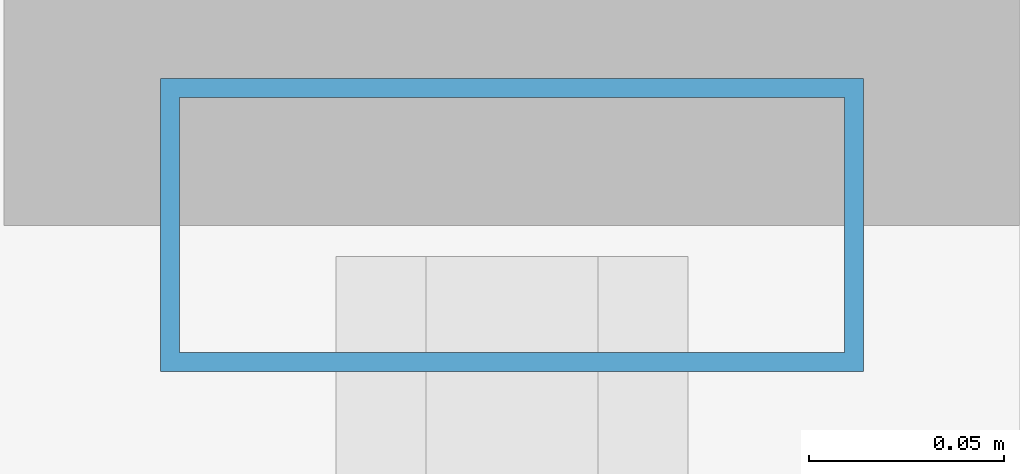
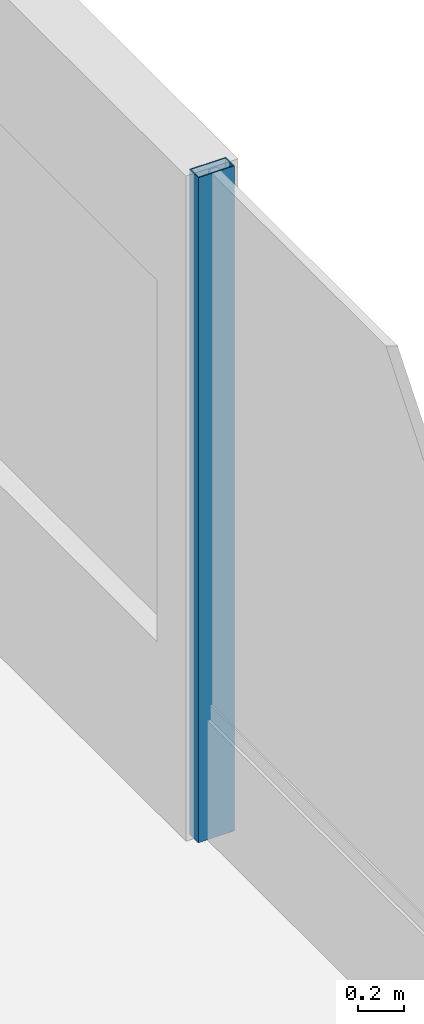
# One storey, part 15 of 23: 1 member, 1 element without a shape of its own.
"""IFC4 building model written with IfcOpenShell, lengths in metres."""

from ifc_helpers import new_model, si_unit, direction, frame, origin, origin_2d, place, context, subcontext, project, spatial, hollow_rectangle, extrude, material, layer, layer_set, material_profile, profile_set, type_object, element, aggregate, save


model = new_model("IFC4")

# Units and contexts
model_context = context("Model", 3, precision=1e-05, world=origin(), true_north=direction((0.0, 1.0)))
body_context = subcontext(model_context, "Body", "Model", "MODEL_VIEW")
ifc_project = project(units=[si_unit("LENGTHUNIT", "METRE"), si_unit("AREAUNIT", "SQUARE_METRE"), si_unit("VOLUMEUNIT", "CUBIC_METRE"), si_unit("PLANEANGLEUNIT", "RADIAN"), si_unit("MASSUNIT", "GRAM", prefix="KILO")], contexts=[model_context])

# Site, building, storey
site_placement = place(None, origin())
site = spatial("IfcSite", under=ifc_project, at=site_placement, CompositionType="ELEMENT")
building_placement = place(site_placement, origin())
building = spatial("IfcBuilding", under=site, at=building_placement, Name="Belovzor Exchange Tower", CompositionType="ELEMENT")
storey_placement = place(building_placement, frame((0.0, 0.0, 276.60009765625)))
storey = spatial("IfcBuildingStorey", under=building, at=storey_placement, Name="L69", CompositionType="ELEMENT", Elevation=276.60009765625)

# Curtain wall, member
ifc_material_1 = material(Name="Anodised Aluminium Framing", Category="aluminium")
ifc_layer = layer(ifc_material_1, 0.179931640625)
ifc_layer_set = layer_set([ifc_layer], Name="Anodised Aluminium Framing")
curtain_wall_type = type_object("IfcCurtainWallType", Name="Recessed Loggia Low-Iron Triple-Glazed Curtain Wall", PredefinedType="NOTDEFINED", material=ifc_layer_set)
curtain_wall_placement = place(storey_placement, origin())
curtain_wall = element("IfcCurtainWall", 1, at=curtain_wall_placement, inside=storey, type_object=curtain_wall_type, Name="CW3 Recessed Loggia Low-Iron Triple-Glazed Curtain Wall L69", PredefinedType="NOTDEFINED")
ifc_material_2 = material(Name="Steel S355", Category="steel")
ifc_material_profile = material_profile(ifc_material_2, hollow_rectangle(XDim=0.074951171875, YDim=0.179931640625, WallThickness=0.0048828125, at=origin_2d()))
ifc_profile_set = profile_set([ifc_material_profile], Name="Steel S355")
member_type = type_object("IfcMemberType", Name="Thermally Broken Curtain Wall Mullion 180x75", PredefinedType="MULLION", material=ifc_profile_set)
member_placement = place(storey_placement, frame((53.570068359375, 33.60009765625, 0.0), z_axis=(0.0, 0.0, 1.0), x_axis=(0.0, -1.0, 0.0)))
member = element("IfcMember", 2, at=member_placement, type_object=member_type, Name="CW-M180 Curtain Wall Mullion 1", PredefinedType="MULLION", context=body_context, shape_type="SweptSolid", body=[
    extrude(hollow_rectangle(XDim=0.074951171875, YDim=0.179931640625, WallThickness=0.0048828125, at=origin_2d()), origin(), (0.0, 0.0, 1.0), 3.5),
])
aggregate(curtain_wall, [member])

save(model, "model.ifc")
